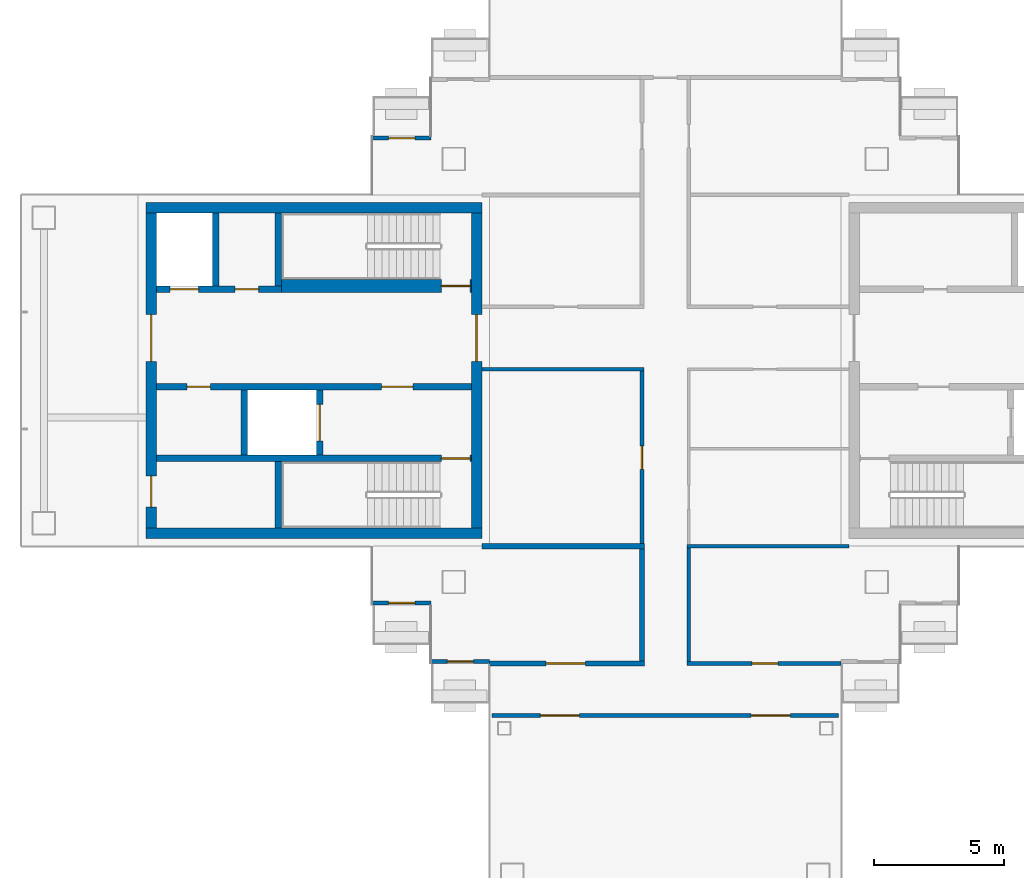
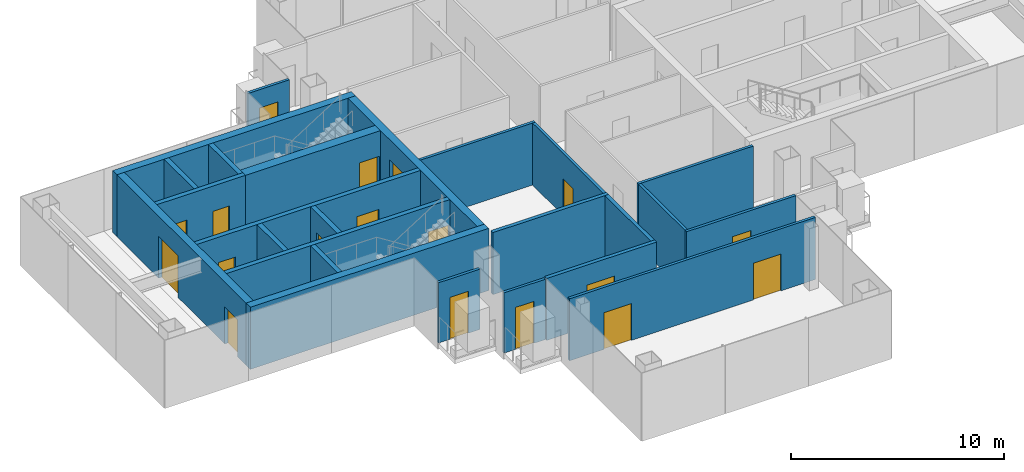
# One storey, part 9 of 16: 25 walls, 18 doors, 18 openings.
"""IFC4 building model written with IfcOpenShell, lengths in metres."""

from ifc_helpers import new_model, si_unit, direction, frame, frame_2d, origin, place, context, subcontext, project, spatial, rectangle, extrude, material, layer, layer_set, type_object, element, fill, save


model = new_model("IFC4")

# Units and contexts
model_context = context("Model", 3, precision=1e-05, world=origin(), true_north=direction((0.0, 1.0)))
body_context = subcontext(model_context, "Body", "Model", "MODEL_VIEW")
ifc_project = project(units=[si_unit("LENGTHUNIT", "METRE"), si_unit("AREAUNIT", "SQUARE_METRE"), si_unit("VOLUMEUNIT", "CUBIC_METRE"), si_unit("PLANEANGLEUNIT", "RADIAN"), si_unit("MASSUNIT", "GRAM", prefix="KILO")], contexts=[model_context])

# Site, building, storey
site_placement = place(None, origin())
site = spatial("IfcSite", under=ifc_project, at=site_placement, CompositionType="ELEMENT")
building_placement = place(site_placement, origin())
building = spatial("IfcBuilding", under=site, at=building_placement, Name="Shamsa Quay Exchange Towers", CompositionType="ELEMENT")
storey_placement = place(building_placement, frame((0.0, 0.0, 265.5)))
storey = spatial("IfcBuildingStorey", under=building, at=storey_placement, Name="L64", CompositionType="ELEMENT", Elevation=265.5)

# Wall, opening, door
ifc_material_1 = material(Name="Double-leaf gypsum board partition with acoustic insulation")
ifc_layer_1 = layer(ifc_material_1, 0.199951171875)
ifc_layer_set_1 = layer_set([ifc_layer_1], Name="Acoustic partition 200 mm EI 60")
wall_type_1 = type_object("IfcWallType", Name="Acoustic partition 200 mm EI 60", PredefinedType="PARTITIONING", material=ifc_layer_set_1)
wall_1_placement = place(storey_placement, frame((-40.5, -11.25, 0.0)))
wall_1 = element("IfcWall", 1, at=wall_1_placement, inside=storey, type_object=wall_type_1, Name="Partition T1-R29-W12", PredefinedType="PARTITIONING", context=body_context, shape_type="SweptSolid", body=[
    extrude(rectangle(XDim=5.94970703125, YDim=0.199951171875, at=frame_2d((2.974853515625, 0.0))), origin(), (0.0, 0.0, 1.0), 3.550048828125),
])
opening_1_placement = place(wall_1_placement, frame((2.1748046875, 0.0, 0.0)))
opening_1 = element("IfcOpeningElement", 2, at=opening_1_placement, cuts=wall_1, Name="Opening T1-R29-D03", PredefinedType="OPENING", context=body_context, shape_type="SweptSolid", body=[
    extrude(rectangle(XDim=1.5, YDim=2.39990234375, at=frame_2d((0.75, 1.199951171875))), frame((0.0, 0.10986328125, 0.0), z_axis=(0.0, -1.0, 0.0), x_axis=(1.0, 0.0, 0.0)), (0.0, 0.0, 1.0), 0.219970703125),
])
ifc_material_2 = material(Name="Timber door leaf in a metal frame", Category="wood")
door_type_1 = type_object("IfcDoorType", Name="Door 1500x2400 FD30S pair", OperationType="NOTDEFINED", PredefinedType="DOOR", material=ifc_material_2)
door_1_placement = place(opening_1_placement, origin())
door_1 = element("IfcDoor", 3, at=door_1_placement, inside=storey, type_object=door_type_1, Name="Door T1-R29-D03", OperationType="DOUBLE_DOOR_SINGLE_SWING", OverallHeight=2.39990234375, OverallWidth=1.5, PredefinedType="DOOR", context=body_context, shape_type="SweptSolid", body=[
    extrude(rectangle(XDim=1.5, YDim=2.39990234375, at=frame_2d((0.75, 1.199951171875))), frame((0.0, 0.02490234375, 0.0), z_axis=(0.0, -1.0, 0.0), x_axis=(1.0, 0.0, 0.0)), (0.0, 0.0, 1.0), 0.050048828125),
])
fill(opening_1, door_1)

# Walls
wall_2_placement = place(storey_placement, frame((-34.650390625, -11.14990234375, 0.0), z_axis=(0.0, 0.0, 1.0), x_axis=(0.0, 1.0, 0.0)))
element("IfcWall", 4, at=wall_2_placement, inside=storey, type_object=wall_type_1, Name="Partition T1-R29-W13", PredefinedType="PARTITIONING", context=body_context, shape_type="SweptSolid", body=[
    extrude(rectangle(XDim=4.2998046875, YDim=0.199951171875, at=frame_2d((2.14990234375, 0.0))), origin(), (0.0, 0.0, 1.0), 3.550048828125),
])
wall_3_placement = place(storey_placement, frame((-40.800048828125, -6.75, 0.0)))
element("IfcWall", 5, at=wall_3_placement, inside=storey, type_object=wall_type_1, Name="Partition T1-R29-W19", PredefinedType="PARTITIONING", context=body_context, shape_type="SweptSolid", body=[
    extrude(rectangle(XDim=6.249755859375, YDim=0.199951171875, at=frame_2d((3.125, 0.0))), origin(), (0.0, 0.0, 1.0), 3.550048828125),
])

# Wall, opening, door
ifc_material_3 = material(Name="Aluminium EN AW-6063 T6, black anodised, with black enamelled glass infill", Category="aluminium")
ifc_layer_2 = layer(ifc_material_3, 0.14990234375)
ifc_layer_set_2 = layer_set([ifc_layer_2], Name="BALCONY DOOR BAY WALL 150")
wall_type_2 = type_object("IfcWallType", Name="BALCONY DOOR BAY WALL 150", PredefinedType="SOLIDWALL", material=ifc_layer_set_2)
wall_4_placement = place(storey_placement, frame((-45.0, 8.925048828125, 0.0)))
wall_4 = element("IfcWall", 6, at=wall_4_placement, inside=storey, type_object=wall_type_2, Name="Door bay T1-PKWN L64", PredefinedType="SOLIDWALL", context=body_context, shape_type="SweptSolid", body=[
    extrude(rectangle(XDim=2.25, YDim=0.14990234375, at=frame_2d((1.125, 0.0))), origin(), (0.0, 0.0, 1.0), 3.449951171875),
])
opening_2_placement = place(wall_4_placement, frame((0.625, 0.0, 0.0)))
opening_2 = element("IfcOpeningElement", 7, at=opening_2_placement, cuts=wall_4, Name="Opening XD438", PredefinedType="OPENING", context=body_context, shape_type="SweptSolid", body=[
    extrude(rectangle(XDim=1.0, YDim=2.39990234375, at=frame_2d((0.5, 1.199951171875))), frame((0.0, 0.0849609375, 0.0), z_axis=(0.0, -1.0, 0.0), x_axis=(1.0, 0.0, 0.0)), (0.0, 0.0, 1.0), 0.169921875),
])
ifc_material_4 = material(Name="Aluminium EN AW-6063 T6, black anodised, with laminated glass leaf", Category="aluminium")
door_type_2 = type_object("IfcDoorType", Name="BALCONY DOOR 1000x2400", OperationType="SINGLE_SWING_LEFT", PredefinedType="DOOR", material=ifc_material_4)
door_2_placement = place(opening_2_placement, origin())
door_2 = element("IfcDoor", 8, at=door_2_placement, inside=storey, type_object=door_type_2, Name="Balcony door T1-PKWN L64", OperationType="SINGLE_SWING_RIGHT", OverallHeight=2.39990234375, OverallWidth=1.0, PredefinedType="DOOR", context=body_context, shape_type="SweptSolid", body=[
    extrude(rectangle(XDim=1.0, YDim=2.39990234375, at=frame_2d((0.5, 1.199951171875))), frame((0.0, 0.02490234375, 0.0), z_axis=(0.0, -1.0, 0.0), x_axis=(1.0, 0.0, 0.0)), (0.0, 0.0, 1.0), 0.050048828125),
])
fill(opening_2, door_2)

wall_5_placement = place(storey_placement, frame((-42.75, -8.925048828125, 0.0), z_axis=(0.0, 0.0, 1.0), x_axis=(-1.0, 0.0, 0.0)))
wall_5 = element("IfcWall", 9, at=wall_5_placement, inside=storey, type_object=wall_type_2, Name="Door bay T1-PKWS L64", PredefinedType="SOLIDWALL", context=body_context, shape_type="SweptSolid", body=[
    extrude(rectangle(XDim=2.25, YDim=0.14990234375, at=frame_2d((1.125, 0.0))), origin(), (0.0, 0.0, 1.0), 3.449951171875),
])
opening_3_placement = place(wall_5_placement, frame((0.625, 0.0, 0.0)))
opening_3 = element("IfcOpeningElement", 10, at=opening_3_placement, cuts=wall_5, Name="Opening XD439", PredefinedType="OPENING", context=body_context, shape_type="SweptSolid", body=[
    extrude(rectangle(XDim=1.0, YDim=2.39990234375, at=frame_2d((0.5, 1.199951171875))), frame((0.0, 0.0849609375, 0.0), z_axis=(0.0, -1.0, 0.0), x_axis=(1.0, 0.0, 0.0)), (0.0, 0.0, 1.0), 0.169921875),
])
door_3_placement = place(opening_3_placement, origin())
door_3 = element("IfcDoor", 11, at=door_3_placement, inside=storey, type_object=door_type_2, Name="Balcony door T1-PKWS L64", OperationType="SINGLE_SWING_LEFT", OverallHeight=2.39990234375, OverallWidth=1.0, PredefinedType="DOOR", context=body_context, shape_type="SweptSolid", body=[
    extrude(rectangle(XDim=1.0, YDim=2.39990234375, at=frame_2d((0.5, 1.199951171875))), frame((0.0, 0.02490234375, 0.0), z_axis=(0.0, -1.0, 0.0), x_axis=(1.0, 0.0, 0.0)), (0.0, 0.0, 1.0), 0.050048828125),
])
fill(opening_3, door_3)

wall_6_placement = place(storey_placement, frame((-40.5, -11.175048828125, 0.0), z_axis=(0.0, 0.0, 1.0), x_axis=(-1.0, 0.0, 0.0)))
wall_6 = element("IfcWall", 12, at=wall_6_placement, inside=storey, type_object=wall_type_2, Name="Door bay T1-PKWS L64", PredefinedType="SOLIDWALL", context=body_context, shape_type="SweptSolid", body=[
    extrude(rectangle(XDim=2.25, YDim=0.14990234375, at=frame_2d((1.125, 0.0))), origin(), (0.0, 0.0, 1.0), 3.449951171875),
])
opening_4_placement = place(wall_6_placement, frame((0.625, 0.0, 0.0)))
opening_4 = element("IfcOpeningElement", 13, at=opening_4_placement, cuts=wall_6, Name="Opening XD440", PredefinedType="OPENING", context=body_context, shape_type="SweptSolid", body=[
    extrude(rectangle(XDim=1.0, YDim=2.39990234375, at=frame_2d((0.5, 1.199951171875))), frame((0.0, 0.0849609375, 0.0), z_axis=(0.0, -1.0, 0.0), x_axis=(1.0, 0.0, 0.0)), (0.0, 0.0, 1.0), 0.169921875),
])
door_4_placement = place(opening_4_placement, origin())
door_4 = element("IfcDoor", 14, at=door_4_placement, inside=storey, type_object=door_type_2, Name="Balcony door T1-PKWS L64", OperationType="SINGLE_SWING_RIGHT", OverallHeight=2.39990234375, OverallWidth=1.0, PredefinedType="DOOR", context=body_context, shape_type="SweptSolid", body=[
    extrude(rectangle(XDim=1.0, YDim=2.39990234375, at=frame_2d((0.5, 1.199951171875))), frame((0.0, 0.02490234375, 0.0), z_axis=(0.0, -1.0, 0.0), x_axis=(1.0, 0.0, 0.0)), (0.0, 0.0, 1.0), 0.050048828125),
])
fill(opening_4, door_4)

# Walls
ifc_material_5 = material(Name="Concrete C60/75", Category="concrete")
ifc_layer_3 = layer(ifc_material_5, 0.39990234375)
ifc_layer_set_3 = layer_set([ifc_layer_3], Name="CORE WALL 400 C60/75")
wall_type_3 = type_object("IfcWallType", Name="CORE WALL 400 C60/75", PredefinedType="SHEAR", material=ifc_layer_set_3)
for number, where, z_axis, x_axis, name in (
    (15, (-40.800048828125, -6.25, 0.0), (0.0, 0.0, 1.0), (-1.0, 0.0, 0.0), "Core wall T1B-R29-PS"),
    (16, (-40.800048828125, 6.25, 0.0), (0.0, 0.0, 1.0), (-1.0, 0.0, 0.0), "Core wall T1B-R29-PN"),
):
    element("IfcWall", number, at=place(storey_placement, frame(where, z_axis=z_axis, x_axis=x_axis)), inside=storey, type_object=wall_type_3, Name=name, PredefinedType="SHEAR", context=body_context, shape_type="SweptSolid", body=[
        extrude(rectangle(XDim=12.89990234375, YDim=0.39990234375, at=frame_2d((6.449951171875, 0.0))), origin(), (0.0, 0.0, 1.0), 3.550048828125),
    ])

# Wall, opening, door
wall_7_placement = place(storey_placement, frame((-41.0, -6.050048828125, 0.0), z_axis=(0.0, 0.0, 1.0), x_axis=(0.0, 1.0, 0.0)))
wall_7 = element("IfcWall", 17, at=wall_7_placement, inside=storey, type_object=wall_type_3, Name="Core wall T1B-R29-PF", PredefinedType="SHEAR", context=body_context, shape_type="SweptSolid", body=[
    extrude(rectangle(XDim=12.10009765625, YDim=0.39990234375, at=frame_2d((6.050048828125, 0.0))), origin(), (0.0, 0.0, 1.0), 3.550048828125),
])
opening_5_placement = place(wall_7_placement, frame((6.39990234375, 0.0, 0.0)))
opening_5 = element("IfcOpeningElement", 18, at=opening_5_placement, cuts=wall_7, Name="Opening T1B-R29-LBD01", PredefinedType="OPENING", context=body_context, shape_type="SweptSolid", body=[
    extrude(rectangle(XDim=1.800048828125, YDim=2.39990234375, at=frame_2d((0.89990234375, 1.199951171875))), frame((0.0, 0.2099609375, 0.0), z_axis=(0.0, -1.0, 0.0), x_axis=(1.0, 0.0, 0.0)), (0.0, 0.0, 1.0), 0.419921875),
])
ifc_material_6 = material(Name="Steel, fire rated", Category="steel")
door_type_3 = type_object("IfcDoorType", Name="LIFT LOBBY DOOR PAIR 1800", OperationType="DOUBLE_DOOR_SINGLE_SWING", PredefinedType="DOOR", material=ifc_material_6)
door_5_placement = place(opening_5_placement, origin())
door_5 = element("IfcDoor", 19, at=door_5_placement, inside=storey, type_object=door_type_3, Name="T1B-R29-LBD01", OperationType="DOUBLE_DOOR_SINGLE_SWING", OverallHeight=2.39990234375, OverallWidth=1.800048828125, PredefinedType="DOOR", context=body_context, shape_type="SweptSolid", body=[
    extrude(rectangle(XDim=1.800048828125, YDim=2.39990234375, at=frame_2d((0.89990234375, 1.199951171875))), frame((0.0, 0.02490234375, 0.0), z_axis=(0.0, -1.0, 0.0), x_axis=(1.0, 0.0, 0.0)), (0.0, 0.0, 1.0), 0.050048828125),
])
fill(opening_5, door_5)

# Wall, openings, doors
wall_8_placement = place(storey_placement, frame((-53.5, -6.050048828125, 0.0), z_axis=(0.0, 0.0, 1.0), x_axis=(0.0, 1.0, 0.0)))
wall_8 = element("IfcWall", 20, at=wall_8_placement, inside=storey, type_object=wall_type_3, Name="Core wall T1B-R29-PB", PredefinedType="SHEAR", context=body_context, shape_type="SweptSolid", body=[
    extrude(rectangle(XDim=12.10009765625, YDim=0.39990234375, at=frame_2d((6.050048828125, 0.0))), origin(), (0.0, 0.0, 1.0), 3.550048828125),
])
opening_6_placement = place(wall_8_placement, frame((0.800048828125, 0.0, 0.0)))
opening_6 = element("IfcOpeningElement", 21, at=opening_6_placement, cuts=wall_8, Name="Opening T1B-R29-RD02", PredefinedType="OPENING", context=body_context, shape_type="SweptSolid", body=[
    extrude(rectangle(XDim=1.199951171875, YDim=2.10009765625, at=frame_2d((0.60009765625, 1.050048828125))), frame((0.0, 0.2099609375, 0.0), z_axis=(0.0, -1.0, 0.0), x_axis=(1.0, 0.0, 0.0)), (0.0, 0.0, 1.0), 0.419921875),
])
opening_7_placement = place(wall_8_placement, frame((6.39990234375, 0.0, 0.0)))
opening_7 = element("IfcOpeningElement", 22, at=opening_7_placement, cuts=wall_8, Name="Opening T1B-R29-LBD03", PredefinedType="OPENING", context=body_context, shape_type="SweptSolid", body=[
    extrude(rectangle(XDim=1.800048828125, YDim=2.39990234375, at=frame_2d((0.89990234375, 1.199951171875))), frame((0.0, 0.2099609375, 0.0), z_axis=(0.0, -1.0, 0.0), x_axis=(1.0, 0.0, 0.0)), (0.0, 0.0, 1.0), 0.419921875),
])
door_6_placement = place(opening_7_placement, origin())
door_6 = element("IfcDoor", 23, at=door_6_placement, inside=storey, type_object=door_type_3, Name="T1B-R29-LBD03", OperationType="DOUBLE_DOOR_SINGLE_SWING", OverallHeight=2.39990234375, OverallWidth=1.800048828125, PredefinedType="DOOR", context=body_context, shape_type="SweptSolid", body=[
    extrude(rectangle(XDim=1.800048828125, YDim=2.39990234375, at=frame_2d((0.89990234375, 1.199951171875))), frame((0.0, 0.02490234375, 0.0), z_axis=(0.0, -1.0, 0.0), x_axis=(1.0, 0.0, 0.0)), (0.0, 0.0, 1.0), 0.050048828125),
])
fill(opening_7, door_6)
door_type_4 = type_object("IfcDoorType", Name="RISER ACCESS DOOR 1200", OperationType="SINGLE_SWING_LEFT", PredefinedType="DOOR", material=ifc_material_6)
door_7_placement = place(opening_6_placement, origin())
door_7 = element("IfcDoor", 24, at=door_7_placement, inside=storey, type_object=door_type_4, Name="T1B-R29-RD02", OperationType="SINGLE_SWING_LEFT", OverallHeight=2.10009765625, OverallWidth=1.199951171875, PredefinedType="DOOR", context=body_context, shape_type="SweptSolid", body=[
    extrude(rectangle(XDim=1.199951171875, YDim=2.10009765625, at=frame_2d((0.60009765625, 1.050048828125))), frame((0.0, 0.02490234375, 0.0), z_axis=(0.0, -1.0, 0.0), x_axis=(1.0, 0.0, 0.0)), (0.0, 0.0, 1.0), 0.050048828125),
])
fill(opening_6, door_7)

# Wall, opening, door
ifc_material_7 = material(Name="Gypsum board partition on metal studs")
ifc_layer_4 = layer(ifc_material_7, 0.14990234375)
ifc_layer_set_4 = layer_set([ifc_layer_4], Name="Partition 150 mm EI 60")
wall_type_4 = type_object("IfcWallType", Name="Partition 150 mm EI 60", PredefinedType="PARTITIONING", material=ifc_layer_set_4)
wall_9_placement = place(storey_placement, frame((-34.650390625, -6.64990234375, 0.0), z_axis=(0.0, 0.0, 1.0), x_axis=(0.0, 1.0, 0.0)))
wall_9 = element("IfcWall", 25, at=wall_9_placement, inside=storey, type_object=wall_type_4, Name="Partition T1-R29-W06", PredefinedType="PARTITIONING", context=body_context, shape_type="SweptSolid", body=[
    extrude(rectangle(XDim=6.624755859375, YDim=0.14990234375, at=frame_2d((3.3125, 0.0))), origin(), (0.0, 0.0, 1.0), 3.550048828125),
])
opening_8_placement = place(wall_9_placement, frame((2.849853515625, 0.0, 0.0)))
opening_8 = element("IfcOpeningElement", 26, at=opening_8_placement, cuts=wall_9, Name="Opening T1-R29-D05", PredefinedType="OPENING", context=body_context, shape_type="SweptSolid", body=[
    extrude(rectangle(XDim=0.89990234375, YDim=2.10009765625, at=frame_2d((0.449951171875, 1.050048828125))), frame((0.0, 0.0849609375, 0.0), z_axis=(0.0, -1.0, 0.0), x_axis=(1.0, 0.0, 0.0)), (0.0, 0.0, 1.0), 0.169921875),
])
door_type_5 = type_object("IfcDoorType", Name="Door 900x2100 FD30S", OperationType="NOTDEFINED", PredefinedType="DOOR", material=ifc_material_2)
door_8_placement = place(opening_8_placement, origin())
door_8 = element("IfcDoor", 27, at=door_8_placement, inside=storey, type_object=door_type_5, Name="Door T1-R29-D05", OperationType="SINGLE_SWING_RIGHT", OverallHeight=2.10009765625, OverallWidth=0.89990234375, PredefinedType="DOOR", context=body_context, shape_type="SweptSolid", body=[
    extrude(rectangle(XDim=0.89990234375, YDim=2.10009765625, at=frame_2d((0.449951171875, 1.050048828125))), frame((0.0, 0.02490234375, 0.0), z_axis=(0.0, -1.0, 0.0), x_axis=(1.0, 0.0, 0.0)), (0.0, 0.0, 1.0), 0.050048828125),
])
fill(opening_8, door_8)

# Walls
wall_10_placement = place(storey_placement, frame((-34.575439453125, 0.0498046875, 0.0), z_axis=(0.0, 0.0, 1.0), x_axis=(-1.0, 0.0, 0.0)))
element("IfcWall", 28, at=wall_10_placement, inside=storey, type_object=wall_type_4, Name="Partition T1-R29-W08", PredefinedType="PARTITIONING", context=body_context, shape_type="SweptSolid", body=[
    extrude(rectangle(XDim=6.224609375, YDim=0.14990234375, at=frame_2d((3.1123046875, 0.0))), origin(), (0.0, 0.0, 1.0), 3.550048828125),
])
wall_11_placement = place(storey_placement, frame((-32.849609375, -6.824951171875, 0.0), z_axis=(0.0, 0.0, 1.0), x_axis=(0.0, -1.0, 0.0)))
element("IfcWall", 29, at=wall_11_placement, inside=storey, type_object=wall_type_4, Name="Partition T1-R29-W10", PredefinedType="PARTITIONING", context=body_context, shape_type="SweptSolid", body=[
    extrude(rectangle(XDim=4.35009765625, YDim=0.14990234375, at=frame_2d((2.175048828125, 0.0))), origin(), (0.0, 0.0, 1.0), 3.550048828125),
])

# Wall, opening, door
wall_12_placement = place(storey_placement, frame((-32.924560546875, -11.25, 0.0)))
wall_12 = element("IfcWall", 30, at=wall_12_placement, inside=storey, type_object=wall_type_4, Name="Partition T1-R29-W11", PredefinedType="PARTITIONING", context=body_context, shape_type="SweptSolid", body=[
    extrude(rectangle(XDim=5.924560546875, YDim=0.14990234375, at=frame_2d((2.96240234375, 0.0))), origin(), (0.0, 0.0, 1.0), 3.550048828125),
])
opening_9_placement = place(wall_12_placement, frame((2.499755859375, 0.0, 0.0)))
opening_9 = element("IfcOpeningElement", 31, at=opening_9_placement, cuts=wall_12, Name="Opening T1-R29-D08", PredefinedType="OPENING", context=body_context, shape_type="SweptSolid", body=[
    extrude(rectangle(XDim=1.0, YDim=2.39990234375, at=frame_2d((0.5, 1.199951171875))), frame((0.0, 0.0849609375, 0.0), z_axis=(0.0, -1.0, 0.0), x_axis=(1.0, 0.0, 0.0)), (0.0, 0.0, 1.0), 0.169921875),
])
door_type_6 = type_object("IfcDoorType", Name="Door 1000x2400 FD30S", OperationType="NOTDEFINED", PredefinedType="DOOR", material=ifc_material_2)
door_9_placement = place(opening_9_placement, origin())
door_9 = element("IfcDoor", 32, at=door_9_placement, inside=storey, type_object=door_type_6, Name="Door T1-R29-D08", OperationType="SINGLE_SWING_LEFT", OverallHeight=2.39990234375, OverallWidth=1.0, PredefinedType="DOOR", context=body_context, shape_type="SweptSolid", body=[
    extrude(rectangle(XDim=1.0, YDim=2.39990234375, at=frame_2d((0.5, 1.199951171875))), frame((0.0, 0.02490234375, 0.0), z_axis=(0.0, -1.0, 0.0), x_axis=(1.0, 0.0, 0.0)), (0.0, 0.0, 1.0), 0.050048828125),
])
fill(opening_9, door_9)

# Wall, openings, doors
wall_13_placement = place(storey_placement, frame((-40.405029296875, -13.25, 0.0)))
wall_13 = element("IfcWall", 33, at=wall_13_placement, inside=storey, type_object=wall_type_4, Name="Partition T1-R29-W14", PredefinedType="PARTITIONING", context=body_context, shape_type="SweptSolid", body=[
    extrude(rectangle(XDim=13.31005859375, YDim=0.14990234375, at=frame_2d((6.655029296875, 0.0))), origin(), (0.0, 0.0, 1.0), 3.550048828125),
])
opening_10_placement = place(wall_13_placement, frame((1.85498046875, 0.0, 0.0)))
opening_10 = element("IfcOpeningElement", 34, at=opening_10_placement, cuts=wall_13, Name="Opening T1-R29-D01", PredefinedType="OPENING", context=body_context, shape_type="SweptSolid", body=[
    extrude(rectangle(XDim=1.5, YDim=2.10009765625, at=frame_2d((0.75, 1.050048828125))), frame((0.0, 0.0849609375, 0.0), z_axis=(0.0, -1.0, 0.0), x_axis=(1.0, 0.0, 0.0)), (0.0, 0.0, 1.0), 0.169921875),
])
opening_11_placement = place(wall_13_placement, frame((9.955078125, 0.0, 0.0)))
opening_11 = element("IfcOpeningElement", 35, at=opening_11_placement, cuts=wall_13, Name="Opening T1-R29-D02", PredefinedType="OPENING", context=body_context, shape_type="SweptSolid", body=[
    extrude(rectangle(XDim=1.5, YDim=2.10009765625, at=frame_2d((0.75, 1.050048828125))), frame((0.0, 0.0849609375, 0.0), z_axis=(0.0, -1.0, 0.0), x_axis=(1.0, 0.0, 0.0)), (0.0, 0.0, 1.0), 0.169921875),
])
door_type_7 = type_object("IfcDoorType", Name="Door 1500x2100 FD30S pair", OperationType="NOTDEFINED", PredefinedType="DOOR", material=ifc_material_2)
door_10_placement = place(opening_10_placement, origin())
door_10 = element("IfcDoor", 36, at=door_10_placement, inside=storey, type_object=door_type_7, Name="Door T1-R29-D01", OperationType="DOUBLE_DOOR_SINGLE_SWING", OverallHeight=2.10009765625, OverallWidth=1.5, PredefinedType="DOOR", context=body_context, shape_type="SweptSolid", body=[
    extrude(rectangle(XDim=1.5, YDim=2.10009765625, at=frame_2d((0.75, 1.050048828125))), frame((0.0, 0.02490234375, 0.0), z_axis=(0.0, -1.0, 0.0), x_axis=(1.0, 0.0, 0.0)), (0.0, 0.0, 1.0), 0.050048828125),
])
fill(opening_10, door_10)
door_11_placement = place(opening_11_placement, origin())
door_11 = element("IfcDoor", 37, at=door_11_placement, inside=storey, type_object=door_type_7, Name="Door T1-R29-D02", OperationType="DOUBLE_DOOR_SINGLE_SWING", OverallHeight=2.10009765625, OverallWidth=1.5, PredefinedType="DOOR", context=body_context, shape_type="SweptSolid", body=[
    extrude(rectangle(XDim=1.5, YDim=2.10009765625, at=frame_2d((0.75, 1.050048828125))), frame((0.0, 0.02490234375, 0.0), z_axis=(0.0, -1.0, 0.0), x_axis=(1.0, 0.0, 0.0)), (0.0, 0.0, 1.0), 0.050048828125),
])
fill(opening_11, door_11)

# Wall
wall_14_placement = place(storey_placement, frame((-32.924560546875, -6.75, 0.0)))
element("IfcWall", 38, at=wall_14_placement, inside=storey, type_object=wall_type_4, Name="Partition T1-R29-W17", PredefinedType="PARTITIONING", context=body_context, shape_type="SweptSolid", body=[
    extrude(rectangle(XDim=6.224609375, YDim=0.14990234375, at=frame_2d((3.1123046875, 0.0))), origin(), (0.0, 0.0, 1.0), 3.550048828125),
])

# Wall, opening, door
ifc_material_8 = material(Name="Concrete C50/60", Category="concrete")
ifc_layer_5 = layer(ifc_material_8, 0.25)
ifc_layer_set_5 = layer_set([ifc_layer_5], Name="SHAFT WALL 250 C50/60")
wall_type_5 = type_object("IfcWallType", Name="SHAFT WALL 250 C50/60", PredefinedType="SHEAR", material=ifc_layer_set_5)
wall_15_placement = place(storey_placement, frame((-41.199951171875, -3.375, 0.0), z_axis=(0.0, 0.0, 1.0), x_axis=(-1.0, 0.0, 0.0)))
wall_15 = element("IfcWall", 39, at=wall_15_placement, inside=storey, type_object=wall_type_5, Name="Shaft wall T1B-R29-STL", PredefinedType="SHEAR", context=body_context, shape_type="SweptSolid", body=[
    extrude(rectangle(XDim=12.10009765625, YDim=0.25, at=frame_2d((6.050048828125, 0.0))), origin(), (0.0, 0.0, 1.0), 3.550048828125),
])
opening_12_placement = place(wall_15_placement, frame((0.050048828125, 0.0, 0.0)))
opening_12 = element("IfcOpeningElement", 40, at=opening_12_placement, cuts=wall_15, Name="Opening T1B-R29-SD04", PredefinedType="OPENING", context=body_context, shape_type="SweptSolid", body=[
    extrude(rectangle(XDim=1.10009765625, YDim=2.10009765625, at=frame_2d((0.550048828125, 1.050048828125))), frame((0.0, 0.135009765625, 0.0), z_axis=(0.0, -1.0, 0.0), x_axis=(1.0, 0.0, 0.0)), (0.0, 0.0, 1.0), 0.27001953125),
])
door_type_8 = type_object("IfcDoorType", Name="STAIR DOOR 1100", OperationType="SINGLE_SWING_LEFT", PredefinedType="DOOR", material=ifc_material_6)
door_12_placement = place(opening_12_placement, origin())
door_12 = element("IfcDoor", 41, at=door_12_placement, inside=storey, type_object=door_type_8, Name="T1B-R29-SD04", OperationType="SINGLE_SWING_LEFT", OverallHeight=2.10009765625, OverallWidth=1.10009765625, PredefinedType="DOOR", context=body_context, shape_type="SweptSolid", body=[
    extrude(rectangle(XDim=1.10009765625, YDim=2.10009765625, at=frame_2d((0.550048828125, 1.050048828125))), frame((0.0, 0.02490234375, 0.0), z_axis=(0.0, -1.0, 0.0), x_axis=(1.0, 0.0, 0.0)), (0.0, 0.0, 1.0), 0.050048828125),
])
fill(opening_12, door_12)

# Wall
wall_16_placement = place(storey_placement, frame((-48.625, -6.050048828125, 0.0), z_axis=(0.0, 0.0, 1.0), x_axis=(0.0, 1.0, 0.0)))
element("IfcWall", 42, at=wall_16_placement, inside=storey, type_object=wall_type_5, Name="Shaft wall T1B-R29-STF", PredefinedType="SHEAR", context=body_context, shape_type="SweptSolid", body=[
    extrude(rectangle(XDim=2.550048828125, YDim=0.25, at=frame_2d((1.27490234375, 0.0))), origin(), (0.0, 0.0, 1.0), 3.550048828125),
])

# Wall, openings, doors
wall_17_placement = place(storey_placement, frame((-41.199951171875, -0.625, 0.0), z_axis=(0.0, 0.0, 1.0), x_axis=(-1.0, 0.0, 0.0)))
wall_17 = element("IfcWall", 43, at=wall_17_placement, inside=storey, type_object=wall_type_5, Name="Shaft wall T1B-R29-B", PredefinedType="SHEAR", context=body_context, shape_type="SweptSolid", body=[
    extrude(rectangle(XDim=12.10009765625, YDim=0.25, at=frame_2d((6.050048828125, 0.0))), origin(), (0.0, 0.0, 1.0), 3.550048828125),
])
opening_13_placement = place(wall_17_placement, frame((2.25, 0.0, 0.0)))
opening_13 = element("IfcOpeningElement", 44, at=opening_13_placement, cuts=wall_17, Name="Opening T1B-R29-FD05", PredefinedType="OPENING", context=body_context, shape_type="SweptSolid", body=[
    extrude(rectangle(XDim=1.199951171875, YDim=2.10009765625, at=frame_2d((0.60009765625, 1.050048828125))), frame((0.0, 0.135009765625, 0.0), z_axis=(0.0, -1.0, 0.0), x_axis=(1.0, 0.0, 0.0)), (0.0, 0.0, 1.0), 0.27001953125),
])
opening_14_placement = place(wall_17_placement, frame((10.02490234375, 0.0, 0.0)))
opening_14 = element("IfcOpeningElement", 45, at=opening_14_placement, cuts=wall_17, Name="Opening T1B-R29-SV06", PredefinedType="OPENING", context=body_context, shape_type="SweptSolid", body=[
    extrude(rectangle(XDim=0.89990234375, YDim=2.10009765625, at=frame_2d((0.449951171875, 1.050048828125))), frame((0.0, 0.135009765625, 0.0), z_axis=(0.0, -1.0, 0.0), x_axis=(1.0, 0.0, 0.0)), (0.0, 0.0, 1.0), 0.27001953125),
])
door_type_9 = type_object("IfcDoorType", Name="FIRE SERVICE LOBBY DOOR 1200", OperationType="SINGLE_SWING_LEFT", PredefinedType="DOOR", material=ifc_material_6)
door_13_placement = place(opening_13_placement, origin())
door_13 = element("IfcDoor", 46, at=door_13_placement, inside=storey, type_object=door_type_9, Name="T1B-R29-FD05", OperationType="SINGLE_SWING_LEFT", OverallHeight=2.10009765625, OverallWidth=1.199951171875, PredefinedType="DOOR", context=body_context, shape_type="SweptSolid", body=[
    extrude(rectangle(XDim=1.199951171875, YDim=2.10009765625, at=frame_2d((0.60009765625, 1.050048828125))), frame((0.0, 0.02490234375, 0.0), z_axis=(0.0, -1.0, 0.0), x_axis=(1.0, 0.0, 0.0)), (0.0, 0.0, 1.0), 0.050048828125),
])
fill(opening_13, door_13)
door_type_10 = type_object("IfcDoorType", Name="SERVICE ROOM DOOR 900", OperationType="SINGLE_SWING_LEFT", PredefinedType="DOOR", material=ifc_material_6)
door_14_placement = place(opening_14_placement, origin())
door_14 = element("IfcDoor", 47, at=door_14_placement, inside=storey, type_object=door_type_10, Name="T1B-R29-SV06", OperationType="SINGLE_SWING_RIGHT", OverallHeight=2.10009765625, OverallWidth=0.89990234375, PredefinedType="DOOR", context=body_context, shape_type="SweptSolid", body=[
    extrude(rectangle(XDim=0.89990234375, YDim=2.10009765625, at=frame_2d((0.449951171875, 1.050048828125))), frame((0.0, 0.02490234375, 0.0), z_axis=(0.0, -1.0, 0.0), x_axis=(1.0, 0.0, 0.0)), (0.0, 0.0, 1.0), 0.050048828125),
])
fill(opening_14, door_14)

# Wall, opening, door
wall_18_placement = place(storey_placement, frame((-47.02490234375, -3.25, 0.0), z_axis=(0.0, 0.0, 1.0), x_axis=(0.0, 1.0, 0.0)))
wall_18 = element("IfcWall", 48, at=wall_18_placement, inside=storey, type_object=wall_type_5, Name="Shaft wall T1B-R29-FFF", PredefinedType="SHEAR", context=body_context, shape_type="SweptSolid", body=[
    extrude(rectangle(XDim=2.5, YDim=0.25, at=frame_2d((1.25, 0.0))), origin(), (0.0, 0.0, 1.0), 3.550048828125),
])
opening_15_placement = place(wall_18_placement, frame((0.550048828125, 0.0, 0.0)))
opening_15 = element("IfcOpeningElement", 49, at=opening_15_placement, cuts=wall_18, Name="Opening T1B-R29-LDG07", PredefinedType="OPENING", context=body_context, shape_type="SweptSolid", body=[
    extrude(rectangle(XDim=1.39990234375, YDim=2.39990234375, at=frame_2d((0.699951171875, 1.199951171875))), frame((0.0, 0.135009765625, 0.0), z_axis=(0.0, -1.0, 0.0), x_axis=(1.0, 0.0, 0.0)), (0.0, 0.0, 1.0), 0.27001953125),
])
door_type_11 = type_object("IfcDoorType", Name="GOODS LIFT LANDING DOOR 1400", OperationType="SLIDING_TO_LEFT", PredefinedType="DOOR", material=ifc_material_6)
door_15_placement = place(opening_15_placement, origin())
door_15 = element("IfcDoor", 50, at=door_15_placement, inside=storey, type_object=door_type_11, Name="T1B-R29-LDG07", OperationType="SLIDING_TO_LEFT", OverallHeight=2.39990234375, OverallWidth=1.39990234375, PredefinedType="DOOR", context=body_context, shape_type="SweptSolid", body=[
    extrude(rectangle(XDim=1.39990234375, YDim=2.39990234375, at=frame_2d((0.699951171875, 1.199951171875))), frame((0.0, 0.02490234375, 0.0), z_axis=(0.0, -1.0, 0.0), x_axis=(1.0, 0.0, 0.0)), (0.0, 0.0, 1.0), 0.050048828125),
])
fill(opening_15, door_15)

# Wall
wall_19_placement = place(storey_placement, frame((-49.925048828125, -3.25, 0.0), z_axis=(0.0, 0.0, 1.0), x_axis=(0.0, 1.0, 0.0)))
element("IfcWall", 51, at=wall_19_placement, inside=storey, type_object=wall_type_5, Name="Shaft wall T1B-R29-FFB", PredefinedType="SHEAR", context=body_context, shape_type="SweptSolid", body=[
    extrude(rectangle(XDim=2.5, YDim=0.25, at=frame_2d((1.25, 0.0))), origin(), (0.0, 0.0, 1.0), 3.550048828125),
])

# Wall, openings, doors
wall_20_placement = place(storey_placement, frame((-53.300048828125, 3.125, 0.0)))
wall_20 = element("IfcWall", 52, at=wall_20_placement, inside=storey, type_object=wall_type_5, Name="Shaft wall T1B-R29-N2", PredefinedType="SHEAR", context=body_context, shape_type="SweptSolid", body=[
    extrude(rectangle(XDim=4.800048828125, YDim=0.25, at=frame_2d((2.39990234375, 0.0))), origin(), (0.0, 0.0, 1.0), 3.550048828125),
])
opening_16_placement = place(wall_20_placement, frame((0.52490234375, 0.0, 0.0)))
opening_16 = element("IfcOpeningElement", 53, at=opening_16_placement, cuts=wall_20, Name="Opening T1B-R29-LD09", PredefinedType="OPENING", context=body_context, shape_type="SweptSolid", body=[
    extrude(rectangle(XDim=1.10009765625, YDim=2.10009765625, at=frame_2d((0.550048828125, 1.050048828125))), frame((0.0, 0.135009765625, 0.0), z_axis=(0.0, -1.0, 0.0), x_axis=(1.0, 0.0, 0.0)), (0.0, 0.0, 1.0), 0.27001953125),
])
opening_17_placement = place(wall_20_placement, frame((3.02490234375, 0.0, 0.0)))
opening_17 = element("IfcOpeningElement", 54, at=opening_17_placement, cuts=wall_20, Name="Opening T1B-R29-SV10", PredefinedType="OPENING", context=body_context, shape_type="SweptSolid", body=[
    extrude(rectangle(XDim=0.89990234375, YDim=2.10009765625, at=frame_2d((0.449951171875, 1.050048828125))), frame((0.0, 0.135009765625, 0.0), z_axis=(0.0, -1.0, 0.0), x_axis=(1.0, 0.0, 0.0)), (0.0, 0.0, 1.0), 0.27001953125),
])
door_type_12 = type_object("IfcDoorType", Name="LANDING DOOR 1100", OperationType="SLIDING_TO_LEFT", PredefinedType="DOOR", material=ifc_material_6)
door_16_placement = place(opening_16_placement, origin())
door_16 = element("IfcDoor", 55, at=door_16_placement, inside=storey, type_object=door_type_12, Name="T1B-R29-LD09", OperationType="SLIDING_TO_LEFT", OverallHeight=2.10009765625, OverallWidth=1.10009765625, PredefinedType="DOOR", context=body_context, shape_type="SweptSolid", body=[
    extrude(rectangle(XDim=1.10009765625, YDim=2.10009765625, at=frame_2d((0.550048828125, 1.050048828125))), frame((0.0, 0.02490234375, 0.0), z_axis=(0.0, -1.0, 0.0), x_axis=(1.0, 0.0, 0.0)), (0.0, 0.0, 1.0), 0.050048828125),
])
fill(opening_16, door_16)
door_17_placement = place(opening_17_placement, origin())
door_17 = element("IfcDoor", 56, at=door_17_placement, inside=storey, type_object=door_type_10, Name="T1B-R29-SV10", OperationType="SINGLE_SWING_RIGHT", OverallHeight=2.10009765625, OverallWidth=0.89990234375, PredefinedType="DOOR", context=body_context, shape_type="SweptSolid", body=[
    extrude(rectangle(XDim=0.89990234375, YDim=2.10009765625, at=frame_2d((0.449951171875, 1.050048828125))), frame((0.0, 0.02490234375, 0.0), z_axis=(0.0, -1.0, 0.0), x_axis=(1.0, 0.0, 0.0)), (0.0, 0.0, 1.0), 0.050048828125),
])
fill(opening_17, door_17)

# Walls
for number, where, z_axis, x_axis, name in (
    (57, (-48.625, 3.25, 0.0), (0.0, 0.0, 1.0), (0.0, 1.0, 0.0), "Shaft wall T1B-R29-STF2"),
    (58, (-51.02490234375, 3.25, 0.0), (0.0, 0.0, 1.0), (0.0, 1.0, 0.0), "Shaft wall T1B-R29-D0"),
):
    element("IfcWall", number, at=place(storey_placement, frame(where, z_axis=z_axis, x_axis=x_axis)), inside=storey, type_object=wall_type_5, Name=name, PredefinedType="SHEAR", context=body_context, shape_type="SweptSolid", body=[
        extrude(rectangle(XDim=2.800048828125, YDim=0.25, at=frame_2d((1.39990234375, 0.0))), origin(), (0.0, 0.0, 1.0), 3.550048828125),
    ])

# Wall, opening, door
ifc_layer_6 = layer(ifc_material_8, 0.5)
ifc_layer_set_6 = layer_set([ifc_layer_6], Name="SHAFT WALL 500 C50/60")
wall_type_6 = type_object("IfcWallType", Name="SHAFT WALL 500 C50/60", PredefinedType="SHEAR", material=ifc_layer_set_6)
wall_21_placement = place(storey_placement, frame((-48.5, 3.25, 0.0)))
wall_21 = element("IfcWall", 59, at=wall_21_placement, inside=storey, type_object=wall_type_6, Name="Shaft wall T1B-R29-N", PredefinedType="SHEAR", context=body_context, shape_type="SweptSolid", body=[
    extrude(rectangle(XDim=7.300048828125, YDim=0.5, at=frame_2d((3.64990234375, 0.0))), origin(), (0.0, 0.0, 1.0), 3.550048828125),
])
opening_18_placement = place(wall_21_placement, frame((6.14990234375, 0.0, 0.0)))
opening_18 = element("IfcOpeningElement", 60, at=opening_18_placement, cuts=wall_21, Name="Opening T1B-R29-SD08", PredefinedType="OPENING", context=body_context, shape_type="SweptSolid", body=[
    extrude(rectangle(XDim=1.10009765625, YDim=2.10009765625, at=frame_2d((0.550048828125, 1.050048828125))), frame((0.0, 0.260009765625, 0.0), z_axis=(0.0, -1.0, 0.0), x_axis=(1.0, 0.0, 0.0)), (0.0, 0.0, 1.0), 0.52001953125),
])
door_18_placement = place(opening_18_placement, origin())
door_18 = element("IfcDoor", 61, at=door_18_placement, inside=storey, type_object=door_type_8, Name="T1B-R29-SD08", OperationType="SINGLE_SWING_RIGHT", OverallHeight=2.10009765625, OverallWidth=1.10009765625, PredefinedType="DOOR", context=body_context, shape_type="SweptSolid", body=[
    extrude(rectangle(XDim=1.10009765625, YDim=2.10009765625, at=frame_2d((0.550048828125, 1.050048828125))), frame((0.0, 0.02490234375, 0.0), z_axis=(0.0, -1.0, 0.0), x_axis=(1.0, 0.0, 0.0)), (0.0, 0.0, 1.0), 0.050048828125),
])
fill(opening_18, door_18)

save(model, "model.ifc")
